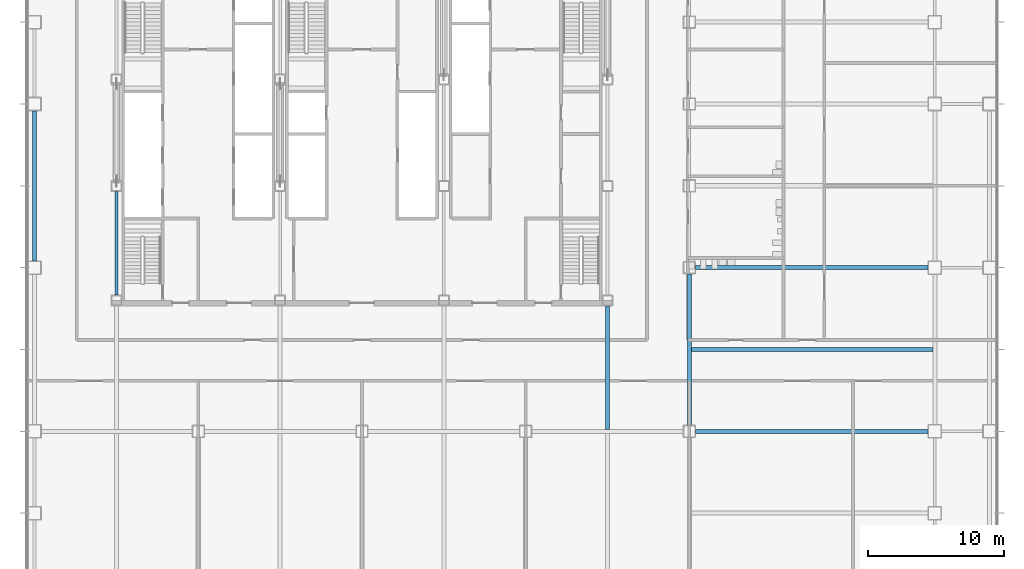
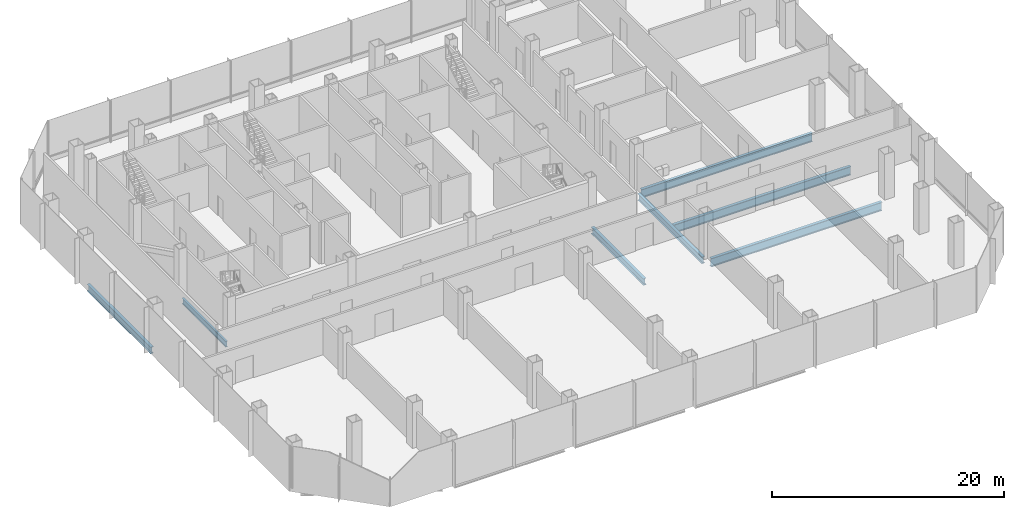
# One storey, part 10 of 33: 7 beams.
"""IFC4 building model written with IfcOpenShell, lengths in metres."""

import ifcopenshell
import ifcopenshell.guid

model = None  # the IFC model being written
_history = None  # IfcOwnerHistory: only IFC2X3 demands one
_inside = {}  # id of a spatial element -> (the spatial element, [elements in it])
_under = {}  # id of a project, library or spatial element -> (it, [spatial elements below it])
_declared = {}  # id of a project -> (the project, [libraries it declares])
_typed = {}  # id of a type object -> (the type object, [elements of that type])
_made_of = {}  # id of a material, layer set ... -> (it, [elements and type objects made of it])


def new_model(schema):
    """Start an empty IFC model of exactly this schema.

    Asked for "IFC4X3", IfcOpenShell would pick the latest addendum, in which some entities
    have other attributes; the version numbers below select the first issue.
    IFC2X3 requires an IfcOwnerHistory on every rooted entity: one is made here for all.
    """
    global model, _history
    if schema == "IFC4X3":
        model = ifcopenshell.file(schema_version=(4, 3, 0, 0))
    else:
        model = ifcopenshell.file(schema=schema)
    _inside.clear()
    _under.clear()
    _declared.clear()
    _typed.clear()
    _made_of.clear()
    _history = None
    if model.schema == "IFC2X3":
        org = make("IfcOrganization", Name="unknown")
        user = make(
            "IfcPersonAndOrganization",
            ThePerson=make("IfcPerson", FamilyName="unknown"),
            TheOrganization=org,
        )
        app = make(
            "IfcApplication",
            ApplicationDeveloper=org,
            Version="unknown",
            ApplicationFullName="unknown",
            ApplicationIdentifier="unknown",
        )
        _history = make(
            "IfcOwnerHistory",
            OwningUser=user,
            OwningApplication=app,
            ChangeAction="ADDED",
            CreationDate=0,
        )
    return model


def make(cls, **values):
    """One entity of the class cls with the attributes given. An attribute that is None is left unset."""
    return model.create_entity(
        cls, **{name: value for name, value in values.items() if value is not None}
    )


def rooted(cls, **values):
    """An entity with a GlobalId (a new one), such as an element, a storey or a relation."""
    return make(cls, GlobalId=ifcopenshell.guid.new(), OwnerHistory=_history, **values)


def si_unit(unit_type, name, prefix=None):
    """IfcSIUnit, for example si_unit("LENGTHUNIT", "METRE", prefix="MILLI")."""
    return make("IfcSIUnit", UnitType=unit_type, Prefix=prefix, Name=name)


def assignment(units):
    """IfcUnitAssignment: the units of a project."""
    return None if units is None else make("IfcUnitAssignment", Units=units)


def point(xyz):
    """IfcCartesianPoint."""
    return None if xyz is None else make("IfcCartesianPoint", Coordinates=xyz)


def direction(xyz):
    """IfcDirection."""
    return None if xyz is None else make("IfcDirection", DirectionRatios=xyz)


def frame(location, z_axis=None, x_axis=None):
    """IfcAxis2Placement3D, a coordinate frame: its origin and axes. An axis left out is left unset."""
    return make(
        "IfcAxis2Placement3D",
        Location=point(location),
        Axis=direction(z_axis),
        RefDirection=direction(x_axis),
    )


def frame_2d(location, x_axis=None):
    """IfcAxis2Placement2D, a coordinate frame in the plane: its origin and x axis."""
    return make(
        "IfcAxis2Placement2D", Location=point(location), RefDirection=direction(x_axis)
    )


def origin():
    """The frame at (0, 0, 0) with its axes left unset."""
    return frame((0.0, 0.0, 0.0))


def origin_2d():
    """The frame at (0, 0) in the plane with its x axis left unset."""
    return frame_2d((0.0, 0.0))


def place(relative_to, where):
    """IfcLocalPlacement: puts the frame where relative to a parent placement (None: the world)."""
    return make(
        "IfcLocalPlacement", PlacementRelTo=relative_to, RelativePlacement=where
    )


def context(
    kind, dimensions, precision=None, world=None, true_north=None, identifier=None
):
    """IfcGeometricRepresentationContext, for example the 3D "Model" context."""
    return make(
        "IfcGeometricRepresentationContext",
        ContextIdentifier=identifier,
        ContextType=kind,
        CoordinateSpaceDimension=dimensions,
        Precision=precision,
        WorldCoordinateSystem=world,
        TrueNorth=true_north,
    )


def subcontext(parent, identifier, kind, view, scale=None):
    """IfcGeometricRepresentationSubContext, for example "Body" below "Model"."""
    return make(
        "IfcGeometricRepresentationSubContext",
        ContextIdentifier=identifier,
        ContextType=kind,
        ParentContext=parent,
        TargetScale=scale,
        TargetView=view,
    )


def project(units=None, contexts=None):
    """IfcProject with its units and contexts."""
    return rooted(
        "IfcProject",
        Name="project",
        RepresentationContexts=contexts,
        UnitsInContext=assignment(units),
    )


def spatial(cls, under=None, at=None, **own):
    """A site, building, storey or space (cls), placed at a placement, below another one or the project."""
    s = rooted(cls, ObjectPlacement=at, **own)
    if under is not None:
        _under.setdefault(under.id(), (under, []))[1].append(s)
    return s


def profile(cls, at=None, kind="AREA", **sizes):
    """A parametric profile (cls). Its sizes go by their IFC names, for example OverallWidth=200.0."""
    return make(cls, ProfileType=kind, Position=at, **sizes)


def i_section(**sizes):
    """IfcIShapeProfileDef."""
    return profile("IfcIShapeProfileDef", **sizes)


def extrude(swept, where, along, depth):
    """IfcExtrudedAreaSolid: the profile swept, set in the frame where, extruded along a direction by depth."""
    return make(
        "IfcExtrudedAreaSolid",
        SweptArea=swept,
        Position=where,
        ExtrudedDirection=direction(along),
        Depth=depth,
    )


def shape(context_of_items, identifier, shape_type, items):
    """IfcShapeRepresentation: the items that make up one representation, for example the "Body"."""
    return make(
        "IfcShapeRepresentation",
        ContextOfItems=context_of_items,
        RepresentationIdentifier=identifier,
        RepresentationType=shape_type,
        Items=items,
    )


def material(Name=None, Category=None):
    """IfcMaterial."""
    return make("IfcMaterial", Name=Name, Category=Category)


def material_profile(
    of_material, cross_section, Name=None, Category=None, Priority=None
):
    """IfcMaterialProfile: a cross section and its material."""
    return make(
        "IfcMaterialProfile",
        Name=Name,
        Material=of_material,
        Profile=cross_section,
        Priority=Priority,
        Category=Category,
    )


def profile_set(profiles, Name=None, composite=None):
    """IfcMaterialProfileSet."""
    return make(
        "IfcMaterialProfileSet",
        Name=Name,
        MaterialProfiles=profiles,
        CompositeProfile=composite,
    )


def made_of(thing, what):
    """Note that an element or type object is made of a material, layer set ...; save() writes the relation."""
    if what is not None:
        _made_of.setdefault(what.id(), (what, []))[1].append(thing)
    return thing


def type_object(cls, material=None, **own):
    """A type object (cls), such as IfcWallType, which elements share."""
    return made_of(rooted(cls, **own), material)


def element(
    cls,
    number,
    at=None,
    inside=None,
    cuts=None,
    type_object=None,
    material=None,
    context=None,
    identifier="Body",
    shape_type=None,
    held_by="IfcProductDefinitionShape",
    body=None,
    shapes=None,
    **own,
):
    """One element of the class cls, such as IfcWall. Its Tag is "e" and its number.

    at: its placement. inside: the storey or other place that contains it. cuts: it is an
    opening in that element (IfcRelVoidsElement). A single representation is given by context,
    identifier, shape_type and body (its items); several are given by shapes. held_by: the class
    of the entity that holds the representations. save() writes the other relations.
    """
    e = rooted(cls, Tag="e%d" % number, ObjectPlacement=at, **own)
    if body is not None:
        shapes = [shape(context, identifier, shape_type, body)]
    if shapes is not None:
        e.Representation = make(held_by, Representations=shapes)
    if inside is not None:
        _inside.setdefault(inside.id(), (inside, []))[1].append(e)
    if cuts is not None:
        rooted(
            "IfcRelVoidsElement", RelatingBuildingElement=cuts, RelatedOpeningElement=e
        )
    if type_object is not None:
        _typed.setdefault(type_object.id(), (type_object, []))[1].append(e)
    return made_of(e, material)


def aggregate(whole, parts):
    """IfcRelAggregates: a whole, such as a stair, and the parts it consists of."""
    return rooted("IfcRelAggregates", RelatingObject=whole, RelatedObjects=parts)


def save(model, path):
    """Write the relations noted so far, then the file.

    IfcRelAggregates (storeys below a building ...), IfcRelContainedInSpatialStructure (elements
    in a storey), IfcRelDefinesByType, IfcRelAssociatesMaterial and IfcRelDeclares: one each for
    every whole, place, type object, material and project.
    """
    for whole, parts in _under.values():
        aggregate(whole, parts)
    for where, things in _inside.values():
        rooted(
            "IfcRelContainedInSpatialStructure",
            RelatedElements=things,
            RelatingStructure=where,
        )
    for kind, things in _typed.values():
        rooted("IfcRelDefinesByType", RelatedObjects=things, RelatingType=kind)
    for what, things in _made_of.values():
        rooted("IfcRelAssociatesMaterial", RelatedObjects=things, RelatingMaterial=what)
    for by, libraries in _declared.values():
        rooted("IfcRelDeclares", RelatingContext=by, RelatedDefinitions=libraries)
    model.write(path)


model = new_model("IFC4")

# Units and contexts
model_context = context("Model", 3, precision=1e-05, world=origin(), true_north=direction((0.0, 1.0)))
body_context = subcontext(model_context, "Body", "Model", "MODEL_VIEW")
ifc_project = project(units=[si_unit("LENGTHUNIT", "METRE"), si_unit("AREAUNIT", "SQUARE_METRE"), si_unit("VOLUMEUNIT", "CUBIC_METRE"), si_unit("PLANEANGLEUNIT", "RADIAN"), si_unit("MASSUNIT", "GRAM", prefix="KILO")], contexts=[model_context])

# Site, building, storey
site_placement = place(None, origin())
site = spatial("IfcSite", under=ifc_project, at=site_placement, CompositionType="ELEMENT")
building_placement = place(site_placement, origin())
building = spatial("IfcBuilding", under=site, at=building_placement, Name="Sorahane Residences", CompositionType="ELEMENT")
storey_placement = place(building_placement, frame((0.0, 0.0, 25.199951171875)))
storey = spatial("IfcBuildingStorey", under=building, at=storey_placement, Name="L03", CompositionType="ELEMENT", Elevation=25.199951171875)

# Beams
ifc_material_1 = material(Name="Steel Q355B", Category="steel")
ifc_material_profile_1 = material_profile(ifc_material_1, i_section(OverallWidth=0.199951171875, OverallDepth=0.60009765625, WebThickness=0.010986328125, FlangeThickness=0.01708984375, FilletRadius=0.02392578125, at=origin_2d()), Name="HN 600x200x11x17")
ifc_profile_set_1 = profile_set([ifc_material_profile_1], Name="Steel Q355B")
beam_type_1 = type_object("IfcBeamType", Name="Steel floor beam HN 600x200x11x17 Q355B", PredefinedType="BEAM", material=ifc_profile_set_1)
beam_1_placement = place(storey_placement, frame((6.0, 22.0, -0.699951171875), z_axis=(0.0, 1.0, 0.0), x_axis=(-1.0, 0.0, 0.0)))
element("IfcBeam", 1, at=beam_1_placement, inside=storey, type_object=beam_type_1, Name="Beam L03 031", PredefinedType="BEAM", context=body_context, shape_type="SweptSolid", body=[
    extrude(i_section(OverallWidth=0.199951171875, OverallDepth=0.60009765625, WebThickness=0.010986328125, FlangeThickness=0.01708984375, FilletRadius=0.02392578125, at=origin_2d()), origin(), (0.0, 0.0, 1.0), 7.60009765625),
])
ifc_material_2 = material(Name="Steel Q355B", Category="steel")
ifc_material_profile_2 = material_profile(ifc_material_2, i_section(OverallWidth=0.300048828125, OverallDepth=0.699951171875, WebThickness=0.012939453125, FlangeThickness=0.02392578125, FilletRadius=0.028076171875, at=origin_2d()), Name="HN 700x300x13x24")
ifc_profile_set_2 = profile_set([ifc_material_profile_2], Name="Steel Q355B")
beam_type_2 = type_object("IfcBeamType", Name="Steel floor beam HN 700x300x13x24 Q355B", PredefinedType="BEAM", material=ifc_profile_set_2)
beam_2_placement = place(storey_placement, frame((0.0, 24.5, -0.75), z_axis=(0.0, 1.0, 0.0), x_axis=(-1.0, 0.0, 0.0)))
element("IfcBeam", 2, at=beam_2_placement, inside=storey, type_object=beam_type_2, Name="Beam L03 027", PredefinedType="BEAM", context=body_context, shape_type="SweptSolid", body=[
    extrude(i_section(OverallWidth=0.300048828125, OverallDepth=0.699951171875, WebThickness=0.012939453125, FlangeThickness=0.02392578125, FilletRadius=0.028076171875, at=origin_2d()), origin(), (0.0, 0.0, 1.0), 11.0),
])
beam_3_placement = place(storey_placement, frame((42.0, 12.14990234375, -0.75), z_axis=(0.0, 1.0, 0.0), x_axis=(-1.0, 0.0, 0.0)))
element("IfcBeam", 3, at=beam_3_placement, inside=storey, type_object=beam_type_2, Name="Beam L03 057", PredefinedType="BEAM", context=body_context, shape_type="SweptSolid", body=[
    extrude(i_section(OverallWidth=0.300048828125, OverallDepth=0.699951171875, WebThickness=0.012939453125, FlangeThickness=0.02392578125, FilletRadius=0.028076171875, at=origin_2d()), origin(), (0.0, 0.0, 1.0), 9.050048828125),
])
beam_4_placement = place(storey_placement, frame((48.0, 12.449951171875, -0.75), z_axis=(0.0, 1.0, 0.0), x_axis=(-1.0, 0.0, 0.0)))
element("IfcBeam", 4, at=beam_4_placement, inside=storey, type_object=beam_type_2, Name="Beam L03 064", PredefinedType="BEAM", context=body_context, shape_type="SweptSolid", body=[
    extrude(i_section(OverallWidth=0.300048828125, OverallDepth=0.699951171875, WebThickness=0.012939453125, FlangeThickness=0.02392578125, FilletRadius=0.028076171875, at=origin_2d()), origin(), (0.0, 0.0, 1.0), 11.10009765625),
])
ifc_material_3 = material(Name="Steel Q355B", Category="steel")
ifc_material_profile_3 = material_profile(ifc_material_3, i_section(OverallWidth=0.300048828125, OverallDepth=0.89990234375, WebThickness=0.01611328125, FlangeThickness=0.028076171875, FilletRadius=0.028076171875, at=origin_2d()), Name="HN 900x300x16x28")
ifc_profile_set_3 = profile_set([ifc_material_profile_3], Name="Steel Q355B")
beam_type_3 = type_object("IfcBeamType", Name="Steel floor beam HN 900x300x16x28 Q355B", PredefinedType="BEAM", material=ifc_profile_set_3)
for number, where, z_axis, x_axis, name in (
    (5, (48.449951171875, 12.0, -0.849853515625), (1.0, 0.0, 0.0), (0.0, 1.0, 0.0), "Beam L03 012"),
    (6, (48.449951171875, 24.0, -0.849853515625), (1.0, 0.0, 0.0), (0.0, 1.0, 0.0), "Beam L03 014"),
):
    element("IfcBeam", number, at=place(storey_placement, frame(where, z_axis=z_axis, x_axis=x_axis)), inside=storey, type_object=beam_type_3, Name=name, PredefinedType="BEAM", context=body_context, shape_type="SweptSolid", body=[
        extrude(i_section(OverallWidth=0.300048828125, OverallDepth=0.89990234375, WebThickness=0.01611328125, FlangeThickness=0.028076171875, FilletRadius=0.028076171875, at=origin_2d()), origin(), (0.0, 0.0, 1.0), 17.050048828125),
    ])
beam_5_placement = place(storey_placement, frame((48.150146484375, 18.0, -0.849853515625), z_axis=(1.0, 0.0, 0.0), x_axis=(0.0, 1.0, 0.0)))
element("IfcBeam", 7, at=beam_5_placement, inside=storey, type_object=beam_type_3, Name="Beam L03 084", PredefinedType="BEAM", context=body_context, shape_type="SweptSolid", body=[
    extrude(i_section(OverallWidth=0.300048828125, OverallDepth=0.89990234375, WebThickness=0.01611328125, FlangeThickness=0.028076171875, FilletRadius=0.028076171875, at=origin_2d()), origin(), (0.0, 0.0, 1.0), 17.69970703125),
])

save(model, "model.ifc")
